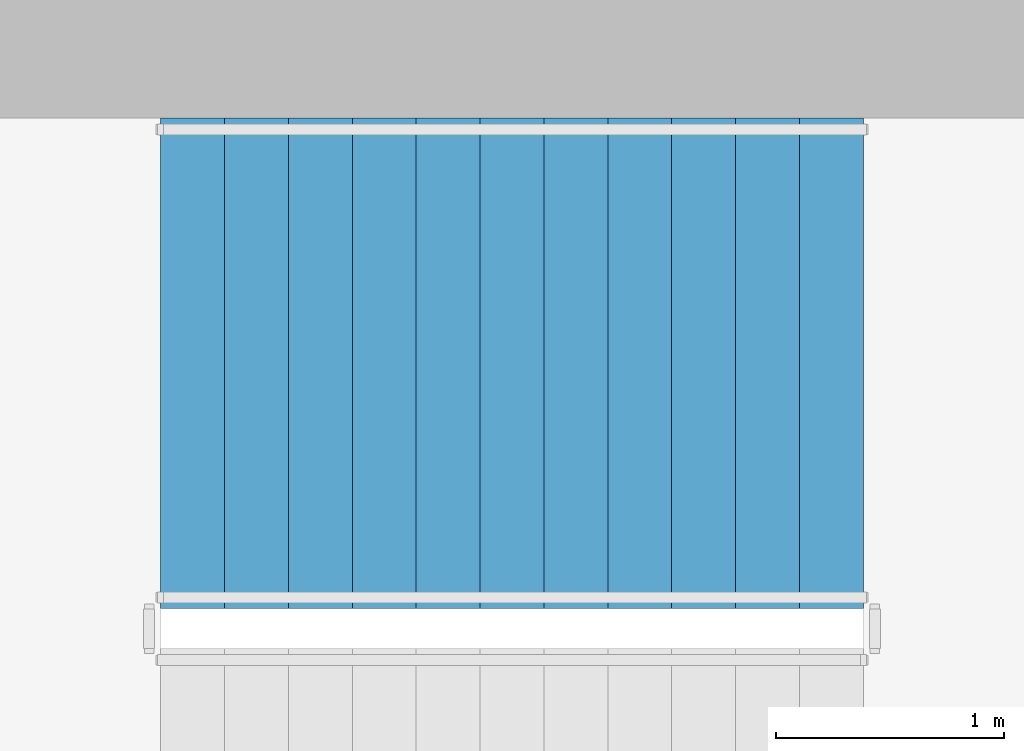
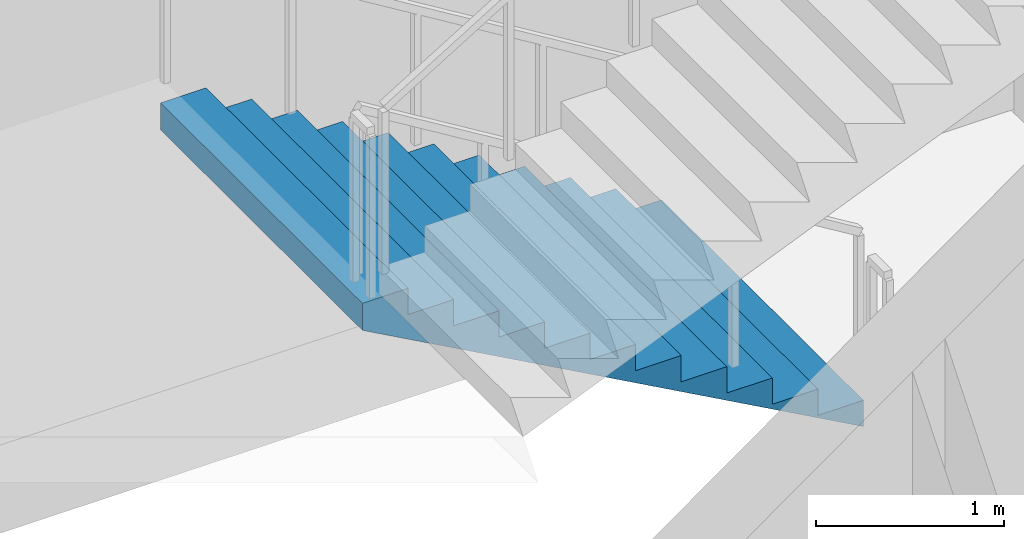
# One storey, part 10 of 15: 1 stair flight, 1 element without a shape of its own.
"""IFC4 building model written with IfcOpenShell, lengths in metres."""

from ifc_helpers import new_model, si_unit, direction, frame, origin, place, context, subcontext, project, spatial, triangles, material, type_object, element, aggregate, save


model = new_model("IFC4")

# Units and contexts
model_context = context("Model", 3, precision=1e-05, world=origin(), true_north=direction((0.0, 1.0)))
body_context = subcontext(model_context, "Body", "Model", "MODEL_VIEW")
ifc_project = project(units=[si_unit("LENGTHUNIT", "METRE"), si_unit("AREAUNIT", "SQUARE_METRE"), si_unit("VOLUMEUNIT", "CUBIC_METRE"), si_unit("PLANEANGLEUNIT", "RADIAN"), si_unit("MASSUNIT", "GRAM", prefix="KILO")], contexts=[model_context])

# Site, building, storey
site_placement = place(None, origin())
site = spatial("IfcSite", under=ifc_project, at=site_placement, CompositionType="ELEMENT")
building_placement = place(site_placement, origin())
building = spatial("IfcBuilding", under=site, at=building_placement, Name="Cypress Arch Tower", CompositionType="ELEMENT")
storey_placement = place(building_placement, frame((0.0, 0.0, 309.0)))
storey = spatial("IfcBuildingStorey", under=building, at=storey_placement, Name="L70", CompositionType="ELEMENT", Elevation=309.0)

# Stair, stair flight
ifc_material_1 = material(Name="Concrete C40/50", Category="concrete")
stair_type = type_object("IfcStairType", Name="Exit stair ES1708-215", PredefinedType="HALF_TURN_STAIR", material=ifc_material_1)
stair_placement = place(storey_placement, origin())
stair = element("IfcStair", 1, at=stair_placement, inside=storey, type_object=stair_type, Name="L70 Exit stair B", PredefinedType="HALF_TURN_STAIR")
ifc_material_2 = material(Name="Concrete C40/50", Category="concrete")
stair_flight_type = type_object("IfcStairFlightType", Name="Exit stair flight ES1708-215", PredefinedType="STRAIGHT", material=ifc_material_2)
stair_flight_placement = place(storey_placement, frame((-22.27490234375, 13.72509765625, 0.0), z_axis=(0.0, 0.0, 1.0), x_axis=(-1.0, 0.0, 0.0)))
stair_flight = element("IfcStairFlight", 2, at=stair_flight_placement, type_object=stair_flight_type, Name="B flight 1", NumberOfRisers=12, NumberOfTreads=11, PredefinedType="STRAIGHT", RiserHeight=0.170833333, TreadLength=0.28, context=body_context, shape_type="Tessellation", body=[
    triangles([(0.0, -1.074951171875, 0.0), (0.000244140625, -1.074951171875, 0.01904296875), (0.000244140625, -1.074951171875, 0.0380859375), (0.00048828125, -1.074951171875, 0.056884765625), (0.00048828125, -1.074951171875, 0.075927734375), (0.00048828125, -1.074951171875, 0.094970703125), (0.00048828125, -1.074951171875, 0.114013671875), (0.000244140625, -1.074951171875, 0.1328125), (0.000244140625, -1.074951171875, 0.15185546875), (0.0, -1.074951171875, 0.1708984375), (0.280029296875, -1.074951171875, 0.1708984375), (0.280029296875, -1.074951171875, 0.341552734375), (0.56005859375, -1.074951171875, 0.341552734375), (0.56005859375, -1.074951171875, 0.512451171875), (0.840087890625, -1.074951171875, 0.512451171875), (0.840087890625, -1.074951171875, 0.683349609375), (1.1201171875, -1.074951171875, 0.683349609375), (1.1201171875, -1.074951171875, 0.854248046875), (1.39990234375, -1.074951171875, 0.854248046875), (1.39990234375, -1.074951171875, 1.02490234375), (1.679931640625, -1.074951171875, 1.02490234375), (1.679931640625, -1.074951171875, 1.19580078125), (1.9599609375, -1.074951171875, 1.19580078125), (1.9599609375, -1.074951171875, 1.36669921875), (2.239990234375, -1.074951171875, 1.36669921875), (2.239990234375, -1.074951171875, 1.53759765625), (2.52001953125, -1.074951171875, 1.53759765625), (2.52001953125, -1.074951171875, 1.708251953125), (2.800048828125, -1.074951171875, 1.708251953125), (2.800048828125, -1.074951171875, 1.879150390625), (3.080078125, -1.074951171875, 1.879150390625), (3.079833984375, -1.074951171875, 1.859619140625), (3.079833984375, -1.074951171875, 1.840087890625), (3.07958984375, -1.074951171875, 1.820556640625), (3.07958984375, -1.074951171875, 1.801025390625), (3.07958984375, -1.074951171875, 1.78173828125), (3.07958984375, -1.074951171875, 1.76220703125), (3.079833984375, -1.074951171875, 1.74267578125), (3.079833984375, -1.074951171875, 1.72314453125), (3.080078125, -1.074951171875, 1.70361328125), (3.080078125, 1.074951171875, 1.70361328125), (3.079833984375, 1.074951171875, 1.72314453125), (3.079833984375, 1.074951171875, 1.74267578125), (3.07958984375, 1.074951171875, 1.76220703125), (3.07958984375, 1.074951171875, 1.78173828125), (3.07958984375, 1.074951171875, 1.801025390625), (3.07958984375, 1.074951171875, 1.820556640625), (3.079833984375, 1.074951171875, 1.840087890625), (3.079833984375, 1.074951171875, 1.859619140625), (3.080078125, 1.074951171875, 1.879150390625), (2.800048828125, 1.074951171875, 1.879150390625), (2.800048828125, 1.074951171875, 1.708251953125), (2.52001953125, 1.074951171875, 1.708251953125), (2.52001953125, 1.074951171875, 1.53759765625), (2.239990234375, 1.074951171875, 1.53759765625), (2.239990234375, 1.074951171875, 1.36669921875), (1.9599609375, 1.074951171875, 1.36669921875), (1.9599609375, 1.074951171875, 1.19580078125), (1.679931640625, 1.074951171875, 1.19580078125), (1.679931640625, 1.074951171875, 1.02490234375), (1.39990234375, 1.074951171875, 1.02490234375), (1.39990234375, 1.074951171875, 0.854248046875), (1.1201171875, 1.074951171875, 0.854248046875), (1.1201171875, 1.074951171875, 0.683349609375), (0.840087890625, 1.074951171875, 0.683349609375), (0.840087890625, 1.074951171875, 0.512451171875), (0.56005859375, 1.074951171875, 0.512451171875), (0.56005859375, 1.074951171875, 0.341552734375), (0.280029296875, 1.074951171875, 0.341552734375), (0.280029296875, 1.074951171875, 0.1708984375), (0.0, 1.074951171875, 0.1708984375), (0.000244140625, 1.074951171875, 0.15185546875), (0.000244140625, 1.074951171875, 0.1328125), (0.00048828125, 1.074951171875, 0.114013671875), (0.00048828125, 1.074951171875, 0.094970703125), (0.00048828125, 1.074951171875, 0.075927734375), (0.00048828125, 1.074951171875, 0.056884765625), (0.000244140625, 1.074951171875, 0.0380859375), (0.000244140625, 1.074951171875, 0.01904296875), (0.0, 1.074951171875, 0.0)], [[40, 39, 30], [39, 38, 30], [38, 37, 30], [37, 36, 30], [36, 35, 30], [35, 34, 30], [34, 33, 30], [33, 32, 30], [32, 31, 30], [19, 18, 17], [27, 26, 25], [25, 24, 23], [23, 22, 21], [17, 16, 15], [15, 14, 13], [10, 9, 11], [9, 8, 11], [8, 7, 11], [7, 6, 11], [6, 5, 11], [5, 4, 11], [4, 3, 11], [3, 2, 11], [2, 1, 11], [29, 28, 27], [21, 20, 19], [13, 12, 11], [40, 30, 29], [40, 29, 27], [40, 27, 25], [40, 25, 23], [40, 23, 21], [40, 21, 19], [40, 19, 17], [40, 17, 15], [40, 15, 13], [1, 40, 13], [13, 11, 1], [41, 51, 42], [42, 51, 43], [43, 51, 44], [44, 51, 45], [45, 51, 46], [46, 51, 47], [47, 51, 48], [48, 51, 49], [49, 51, 50], [62, 64, 63], [54, 56, 55], [56, 58, 57], [58, 60, 59], [64, 66, 65], [66, 68, 67], [71, 70, 72], [72, 70, 73], [73, 70, 74], [74, 70, 75], [75, 70, 76], [76, 70, 77], [77, 70, 78], [78, 70, 79], [79, 70, 80], [52, 54, 53], [60, 62, 61], [68, 70, 69], [41, 52, 51], [41, 54, 52], [41, 56, 54], [41, 58, 56], [41, 60, 58], [41, 62, 60], [41, 64, 62], [41, 66, 64], [41, 68, 66], [80, 68, 41], [68, 80, 70], [41, 42, 39], [41, 39, 40], [42, 43, 38], [42, 38, 39], [43, 44, 37], [43, 37, 38], [44, 45, 36], [44, 36, 37], [45, 46, 35], [45, 35, 36], [46, 47, 34], [46, 34, 35], [47, 48, 33], [47, 33, 34], [48, 49, 32], [48, 32, 33], [49, 50, 31], [49, 31, 32], [50, 51, 30], [50, 30, 31], [51, 52, 29], [51, 29, 30], [52, 53, 28], [52, 28, 29], [53, 54, 27], [53, 27, 28], [54, 55, 26], [54, 26, 27], [55, 56, 25], [55, 25, 26], [56, 57, 24], [56, 24, 25], [57, 58, 23], [57, 23, 24], [58, 59, 22], [58, 22, 23], [59, 60, 21], [59, 21, 22], [60, 61, 20], [60, 20, 21], [61, 62, 19], [61, 19, 20], [62, 63, 18], [62, 18, 19], [63, 64, 17], [63, 17, 18], [64, 65, 16], [64, 16, 17], [65, 66, 15], [65, 15, 16], [66, 67, 14], [66, 14, 15], [67, 68, 13], [67, 13, 14], [68, 69, 12], [68, 12, 13], [69, 70, 11], [69, 11, 12], [70, 71, 10], [70, 10, 11], [71, 72, 9], [71, 9, 10], [72, 73, 8], [72, 8, 9], [73, 74, 7], [73, 7, 8], [74, 75, 6], [74, 6, 7], [75, 76, 5], [75, 5, 6], [76, 77, 4], [76, 4, 5], [77, 78, 3], [77, 3, 4], [78, 79, 2], [78, 2, 3], [79, 80, 1], [79, 1, 2], [80, 41, 40], [80, 40, 1]], closed=True),
])
aggregate(stair, [stair_flight])

save(model, "model.ifc")
